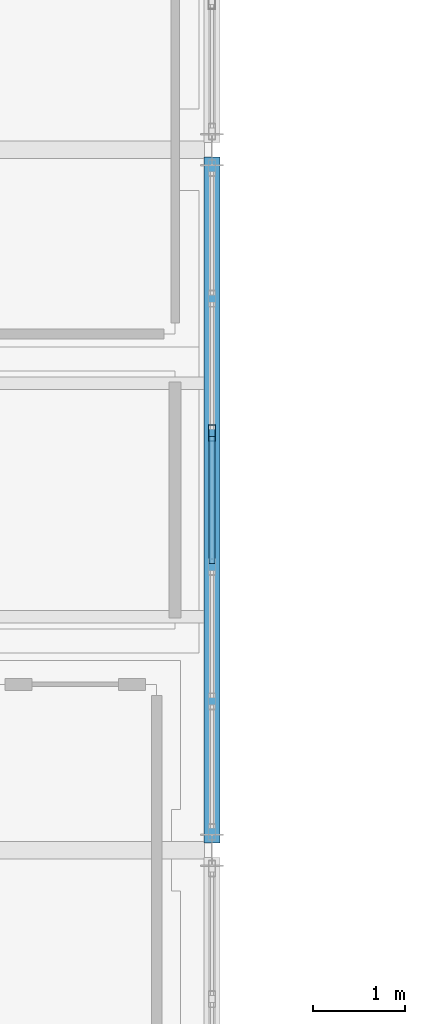
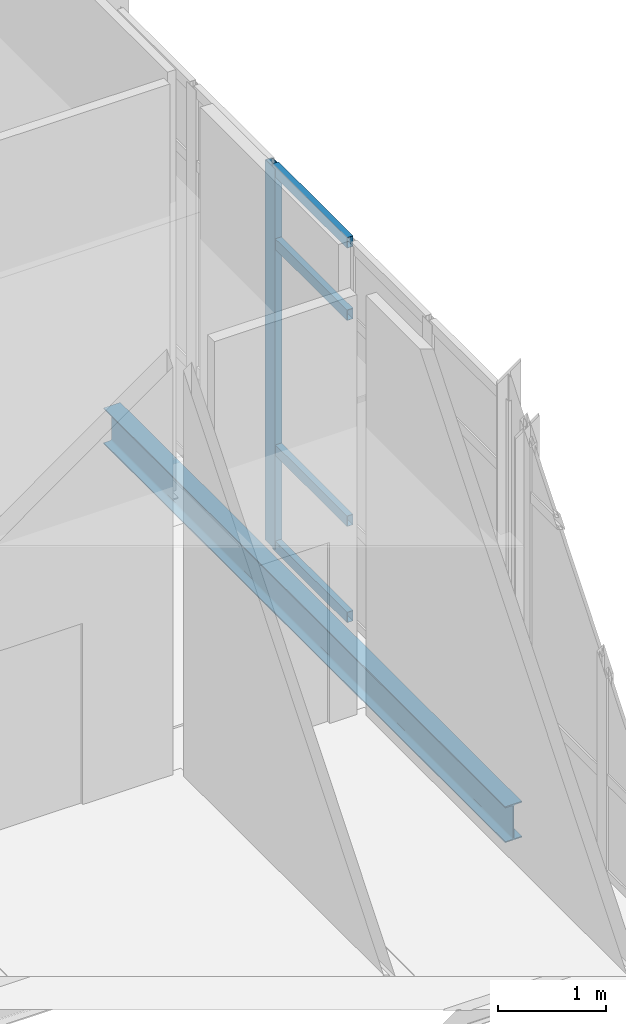
# One storey, part 70 of 161: 5 members, 1 beam, 1 element without a shape of its own.
"""IFC4 building model written with IfcOpenShell, lengths in metres."""

import ifcopenshell
import ifcopenshell.guid

model = None  # the IFC model being written
_history = None  # IfcOwnerHistory: only IFC2X3 demands one
_inside = {}  # id of a spatial element -> (the spatial element, [elements in it])
_under = {}  # id of a project, library or spatial element -> (it, [spatial elements below it])
_declared = {}  # id of a project -> (the project, [libraries it declares])
_typed = {}  # id of a type object -> (the type object, [elements of that type])
_made_of = {}  # id of a material, layer set ... -> (it, [elements and type objects made of it])


def new_model(schema):
    """Start an empty IFC model of exactly this schema.

    Asked for "IFC4X3", IfcOpenShell would pick the latest addendum, in which some entities
    have other attributes; the version numbers below select the first issue.
    IFC2X3 requires an IfcOwnerHistory on every rooted entity: one is made here for all.
    """
    global model, _history
    if schema == "IFC4X3":
        model = ifcopenshell.file(schema_version=(4, 3, 0, 0))
    else:
        model = ifcopenshell.file(schema=schema)
    _inside.clear()
    _under.clear()
    _declared.clear()
    _typed.clear()
    _made_of.clear()
    _history = None
    if model.schema == "IFC2X3":
        org = make("IfcOrganization", Name="unknown")
        user = make(
            "IfcPersonAndOrganization",
            ThePerson=make("IfcPerson", FamilyName="unknown"),
            TheOrganization=org,
        )
        app = make(
            "IfcApplication",
            ApplicationDeveloper=org,
            Version="unknown",
            ApplicationFullName="unknown",
            ApplicationIdentifier="unknown",
        )
        _history = make(
            "IfcOwnerHistory",
            OwningUser=user,
            OwningApplication=app,
            ChangeAction="ADDED",
            CreationDate=0,
        )
    return model


def make(cls, **values):
    """One entity of the class cls with the attributes given. An attribute that is None is left unset."""
    return model.create_entity(
        cls, **{name: value for name, value in values.items() if value is not None}
    )


def rooted(cls, **values):
    """An entity with a GlobalId (a new one), such as an element, a storey or a relation."""
    return make(cls, GlobalId=ifcopenshell.guid.new(), OwnerHistory=_history, **values)


def si_unit(unit_type, name, prefix=None):
    """IfcSIUnit, for example si_unit("LENGTHUNIT", "METRE", prefix="MILLI")."""
    return make("IfcSIUnit", UnitType=unit_type, Prefix=prefix, Name=name)


def assignment(units):
    """IfcUnitAssignment: the units of a project."""
    return None if units is None else make("IfcUnitAssignment", Units=units)


def point(xyz):
    """IfcCartesianPoint."""
    return None if xyz is None else make("IfcCartesianPoint", Coordinates=xyz)


def direction(xyz):
    """IfcDirection."""
    return None if xyz is None else make("IfcDirection", DirectionRatios=xyz)


def frame(location, z_axis=None, x_axis=None):
    """IfcAxis2Placement3D, a coordinate frame: its origin and axes. An axis left out is left unset."""
    return make(
        "IfcAxis2Placement3D",
        Location=point(location),
        Axis=direction(z_axis),
        RefDirection=direction(x_axis),
    )


def frame_2d(location, x_axis=None):
    """IfcAxis2Placement2D, a coordinate frame in the plane: its origin and x axis."""
    return make(
        "IfcAxis2Placement2D", Location=point(location), RefDirection=direction(x_axis)
    )


def origin():
    """The frame at (0, 0, 0) with its axes left unset."""
    return frame((0.0, 0.0, 0.0))


def origin_2d():
    """The frame at (0, 0) in the plane with its x axis left unset."""
    return frame_2d((0.0, 0.0))


def place(relative_to, where):
    """IfcLocalPlacement: puts the frame where relative to a parent placement (None: the world)."""
    return make(
        "IfcLocalPlacement", PlacementRelTo=relative_to, RelativePlacement=where
    )


def context(
    kind, dimensions, precision=None, world=None, true_north=None, identifier=None
):
    """IfcGeometricRepresentationContext, for example the 3D "Model" context."""
    return make(
        "IfcGeometricRepresentationContext",
        ContextIdentifier=identifier,
        ContextType=kind,
        CoordinateSpaceDimension=dimensions,
        Precision=precision,
        WorldCoordinateSystem=world,
        TrueNorth=true_north,
    )


def subcontext(parent, identifier, kind, view, scale=None):
    """IfcGeometricRepresentationSubContext, for example "Body" below "Model"."""
    return make(
        "IfcGeometricRepresentationSubContext",
        ContextIdentifier=identifier,
        ContextType=kind,
        ParentContext=parent,
        TargetScale=scale,
        TargetView=view,
    )


def project(units=None, contexts=None):
    """IfcProject with its units and contexts."""
    return rooted(
        "IfcProject",
        Name="project",
        RepresentationContexts=contexts,
        UnitsInContext=assignment(units),
    )


def spatial(cls, under=None, at=None, **own):
    """A site, building, storey or space (cls), placed at a placement, below another one or the project."""
    s = rooted(cls, ObjectPlacement=at, **own)
    if under is not None:
        _under.setdefault(under.id(), (under, []))[1].append(s)
    return s


def profile(cls, at=None, kind="AREA", **sizes):
    """A parametric profile (cls). Its sizes go by their IFC names, for example OverallWidth=200.0."""
    return make(cls, ProfileType=kind, Position=at, **sizes)


def hollow_rectangle(**sizes):
    """IfcRectangleHollowProfileDef."""
    return profile("IfcRectangleHollowProfileDef", **sizes)


def i_section(**sizes):
    """IfcIShapeProfileDef."""
    return profile("IfcIShapeProfileDef", **sizes)


def extrude(swept, where, along, depth):
    """IfcExtrudedAreaSolid: the profile swept, set in the frame where, extruded along a direction by depth."""
    return make(
        "IfcExtrudedAreaSolid",
        SweptArea=swept,
        Position=where,
        ExtrudedDirection=direction(along),
        Depth=depth,
    )


def shape(context_of_items, identifier, shape_type, items):
    """IfcShapeRepresentation: the items that make up one representation, for example the "Body"."""
    return make(
        "IfcShapeRepresentation",
        ContextOfItems=context_of_items,
        RepresentationIdentifier=identifier,
        RepresentationType=shape_type,
        Items=items,
    )


def material(Name=None, Category=None):
    """IfcMaterial."""
    return make("IfcMaterial", Name=Name, Category=Category)


def material_profile(
    of_material, cross_section, Name=None, Category=None, Priority=None
):
    """IfcMaterialProfile: a cross section and its material."""
    return make(
        "IfcMaterialProfile",
        Name=Name,
        Material=of_material,
        Profile=cross_section,
        Priority=Priority,
        Category=Category,
    )


def profile_set(profiles, Name=None, composite=None):
    """IfcMaterialProfileSet."""
    return make(
        "IfcMaterialProfileSet",
        Name=Name,
        MaterialProfiles=profiles,
        CompositeProfile=composite,
    )


def made_of(thing, what):
    """Note that an element or type object is made of a material, layer set ...; save() writes the relation."""
    if what is not None:
        _made_of.setdefault(what.id(), (what, []))[1].append(thing)
    return thing


def type_object(cls, material=None, **own):
    """A type object (cls), such as IfcWallType, which elements share."""
    return made_of(rooted(cls, **own), material)


def element(
    cls,
    number,
    at=None,
    inside=None,
    cuts=None,
    type_object=None,
    material=None,
    context=None,
    identifier="Body",
    shape_type=None,
    held_by="IfcProductDefinitionShape",
    body=None,
    shapes=None,
    **own,
):
    """One element of the class cls, such as IfcWall. Its Tag is "e" and its number.

    at: its placement. inside: the storey or other place that contains it. cuts: it is an
    opening in that element (IfcRelVoidsElement). A single representation is given by context,
    identifier, shape_type and body (its items); several are given by shapes. held_by: the class
    of the entity that holds the representations. save() writes the other relations.
    """
    e = rooted(cls, Tag="e%d" % number, ObjectPlacement=at, **own)
    if body is not None:
        shapes = [shape(context, identifier, shape_type, body)]
    if shapes is not None:
        e.Representation = make(held_by, Representations=shapes)
    if inside is not None:
        _inside.setdefault(inside.id(), (inside, []))[1].append(e)
    if cuts is not None:
        rooted(
            "IfcRelVoidsElement", RelatingBuildingElement=cuts, RelatedOpeningElement=e
        )
    if type_object is not None:
        _typed.setdefault(type_object.id(), (type_object, []))[1].append(e)
    return made_of(e, material)


def aggregate(whole, parts):
    """IfcRelAggregates: a whole, such as a stair, and the parts it consists of."""
    return rooted("IfcRelAggregates", RelatingObject=whole, RelatedObjects=parts)


def save(model, path):
    """Write the relations noted so far, then the file.

    IfcRelAggregates (storeys below a building ...), IfcRelContainedInSpatialStructure (elements
    in a storey), IfcRelDefinesByType, IfcRelAssociatesMaterial and IfcRelDeclares: one each for
    every whole, place, type object, material and project.
    """
    for whole, parts in _under.values():
        aggregate(whole, parts)
    for where, things in _inside.values():
        rooted(
            "IfcRelContainedInSpatialStructure",
            RelatedElements=things,
            RelatingStructure=where,
        )
    for kind, things in _typed.values():
        rooted("IfcRelDefinesByType", RelatedObjects=things, RelatingType=kind)
    for what, things in _made_of.values():
        rooted("IfcRelAssociatesMaterial", RelatedObjects=things, RelatingMaterial=what)
    for by, libraries in _declared.values():
        rooted("IfcRelDeclares", RelatingContext=by, RelatedDefinitions=libraries)
    model.write(path)


model = new_model("IFC4")

# Units and contexts
model_context = context("Model", 3, precision=1e-05, world=origin(), true_north=direction((0.0, 1.0)))
body_context = subcontext(model_context, "Body", "Model", "MODEL_VIEW")
ifc_project = project(units=[si_unit("LENGTHUNIT", "METRE"), si_unit("AREAUNIT", "SQUARE_METRE"), si_unit("VOLUMEUNIT", "CUBIC_METRE"), si_unit("PLANEANGLEUNIT", "RADIAN"), si_unit("MASSUNIT", "GRAM", prefix="KILO")], contexts=[model_context])

# Site, building, storey
site_placement = place(None, origin())
site = spatial("IfcSite", under=ifc_project, at=site_placement, CompositionType="ELEMENT")
building_placement = place(site_placement, origin())
building = spatial("IfcBuilding", under=site, at=building_placement, Name="Caisbarro Railhouse Central Library", CompositionType="ELEMENT")
storey_placement = place(building_placement, origin())
storey = spatial("IfcBuildingStorey", under=building, at=storey_placement, Name="L00", CompositionType="ELEMENT", Elevation=0.0)

# Beam
ifc_material_1 = material(Name="Steel ASTM A572 Grade 50", Category="steel")
ifc_material_profile_1 = material_profile(ifc_material_1, i_section(OverallWidth=0.177978515625, OverallDepth=0.406982421875, WebThickness=0.0078125, FlangeThickness=0.0126953125, FilletRadius=0.01611328125, at=origin_2d()), Name="W410X60.0")
ifc_profile_set_1 = profile_set([ifc_material_profile_1], Name="Steel ASTM A572 Grade 50")
beam_type = type_object("IfcBeamType", Name="BM-G10", PredefinedType="BEAM", material=ifc_profile_set_1)
beam_placement = place(storey_placement, frame((36.0, 91.280029296875, -0.45361328125), z_axis=(0.0, 1.0, 0.0), x_axis=(-1.0, 0.0, 0.0)))
element("IfcBeam", 1, at=beam_placement, inside=storey, type_object=beam_type, Name="G10 beam L00 #418", PredefinedType="BEAM", context=body_context, shape_type="SweptSolid", body=[
    extrude(i_section(OverallWidth=0.177978515625, OverallDepth=0.406982421875, WebThickness=0.0078125, FlangeThickness=0.0126953125, FilletRadius=0.01611328125, at=origin_2d()), origin(), (0.0, 0.0, 1.0), 7.43994140625),
])

# Curtain wall, members
ifc_material_2 = material(Name="Anodised architectural aluminium", Category="aluminium")
curtain_wall_type = type_object("IfcCurtainWallType", Name="CW-CW02", PredefinedType="NOTDEFINED", material=ifc_material_2)
curtain_wall_placement = place(storey_placement, origin())
curtain_wall = element("IfcCurtainWall", 2, at=curtain_wall_placement, inside=storey, type_object=curtain_wall_type, Name="CW02 curtain wall L00 #77", PredefinedType="NOTDEFINED")
ifc_material_profile_2 = material_profile(ifc_material_2, hollow_rectangle(XDim=0.074951171875, YDim=0.179931640625, WallThickness=0.00439453125, at=origin_2d()), Name="ALU-MUL-75X180")
ifc_profile_set_2 = profile_set([ifc_material_profile_2], Name="Anodised architectural aluminium")
member_type_1 = type_object("IfcMemberType", Name="CWM-M01", PredefinedType="MULLION", material=ifc_profile_set_2)
member_1_placement = place(storey_placement, frame((36.0, 95.72802734375, 0.0), z_axis=(0.0, 0.0, 1.0), x_axis=(-1.0, 0.0, 0.0)))
member_1 = element("IfcMember", 3, at=member_1_placement, type_object=member_type_1, Name="CW02 mullion 4", PredefinedType="MULLION", context=body_context, shape_type="SweptSolid", body=[
    extrude(hollow_rectangle(XDim=0.074951171875, YDim=0.179931640625, WallThickness=0.00439453125, at=origin_2d()), origin(), (0.0, 0.0, 1.0), 4.300048828125),
])
ifc_material_profile_3 = material_profile(ifc_material_2, hollow_rectangle(XDim=0.06494140625, YDim=0.1201171875, WallThickness=0.00341796875, at=origin_2d()), Name="ALU-TRN-65X120")
ifc_profile_set_3 = profile_set([ifc_material_profile_3], Name="Anodised architectural aluminium")
member_type_2 = type_object("IfcMemberType", Name="CWT-T02", PredefinedType="USERDEFINED", material=ifc_profile_set_3)
member_2_placement = place(storey_placement, frame((36.0, 94.3095703125, 0.032470703125), z_axis=(0.0, 1.0, 0.0), x_axis=(-1.0, 0.0, 0.0)))
member_2 = element("IfcMember", 4, at=member_2_placement, type_object=member_type_2, Name="CW02 transom 3.1", ObjectType="TRANSOM", PredefinedType="USERDEFINED", context=body_context, shape_type="SweptSolid", body=[
    extrude(hollow_rectangle(XDim=0.06494140625, YDim=0.1201171875, WallThickness=0.00341796875, at=origin_2d()), origin(), (0.0, 0.0, 1.0), 1.380859375),
])
member_3_placement = place(storey_placement, frame((36.0, 94.3095703125, 1.1201171875), z_axis=(0.0, 1.0, 0.0), x_axis=(-1.0, 0.0, 0.0)))
member_3 = element("IfcMember", 5, at=member_3_placement, type_object=member_type_2, Name="CW02 transom 3.2", ObjectType="TRANSOM", PredefinedType="USERDEFINED", context=body_context, shape_type="SweptSolid", body=[
    extrude(hollow_rectangle(XDim=0.06494140625, YDim=0.1201171875, WallThickness=0.00341796875, at=origin_2d()), origin(), (0.0, 0.0, 1.0), 1.380859375),
])
member_4_placement = place(storey_placement, frame((36.0, 94.3095703125, 3.449951171875), z_axis=(0.0, 1.0, 0.0), x_axis=(-1.0, 0.0, 0.0)))
member_4 = element("IfcMember", 6, at=member_4_placement, type_object=member_type_2, Name="CW02 transom 3.3", ObjectType="TRANSOM", PredefinedType="USERDEFINED", context=body_context, shape_type="SweptSolid", body=[
    extrude(hollow_rectangle(XDim=0.06494140625, YDim=0.1201171875, WallThickness=0.00341796875, at=origin_2d()), origin(), (0.0, 0.0, 1.0), 1.380859375),
])
member_5_placement = place(storey_placement, frame((36.0, 94.3095703125, 4.267578125), z_axis=(0.0, 1.0, 0.0), x_axis=(-1.0, 0.0, 0.0)))
member_5 = element("IfcMember", 7, at=member_5_placement, type_object=member_type_2, Name="CW02 transom 3.4", ObjectType="TRANSOM", PredefinedType="USERDEFINED", context=body_context, shape_type="SweptSolid", body=[
    extrude(hollow_rectangle(XDim=0.06494140625, YDim=0.1201171875, WallThickness=0.00341796875, at=origin_2d()), origin(), (0.0, 0.0, 1.0), 1.380859375),
])
aggregate(curtain_wall, [member_1, member_2, member_3, member_4, member_5])

save(model, "model.ifc")
